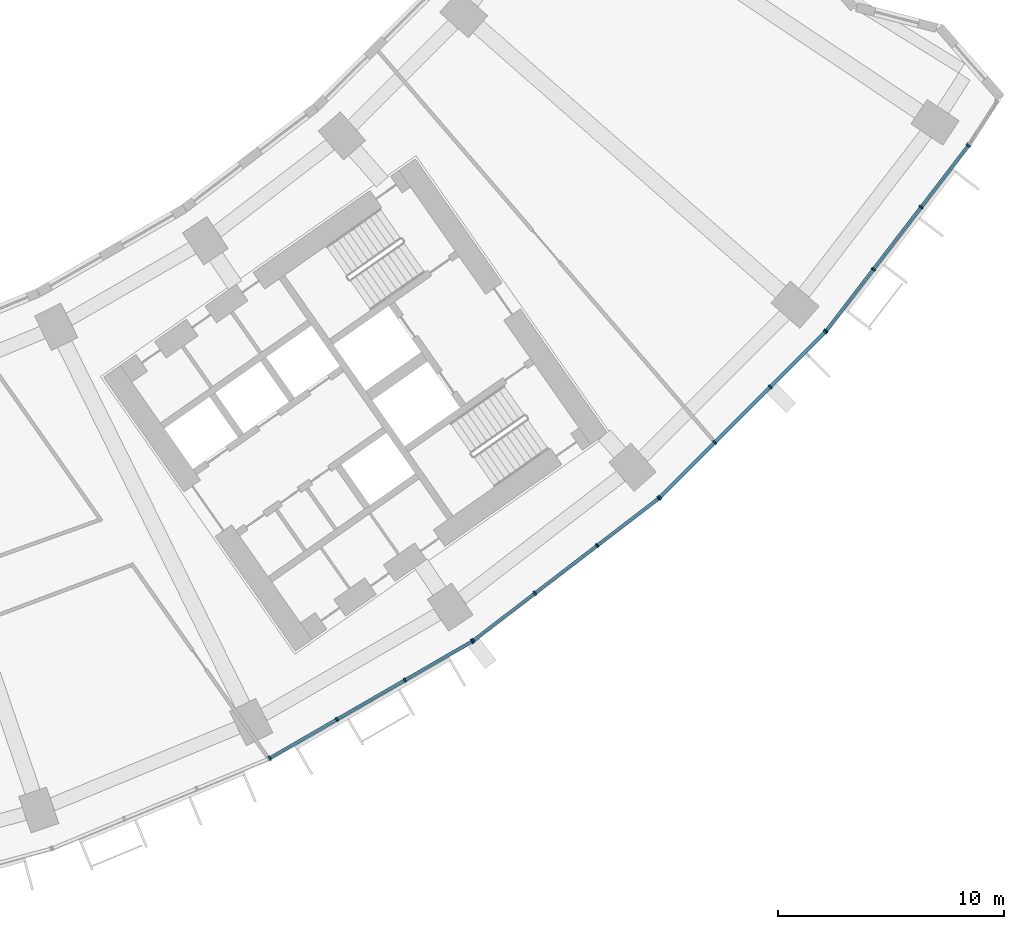
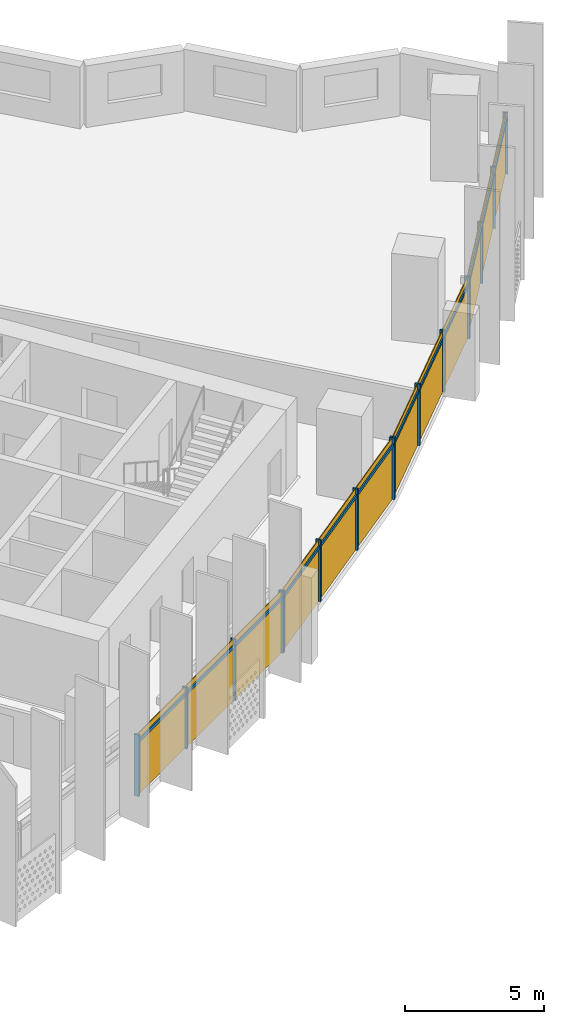
# One storey, part 23 of 32: 28 members, 4 curtain walls.
"""IFC4 building model written with IfcOpenShell, lengths in metres."""

from ifc_helpers import new_model, si_unit, direction, frame, origin, origin_2d, place, context, subcontext, project, spatial, rectangle, extrude, material, material_profile, profile_set, type_object, element, aggregate, save


model = new_model("IFC4")

# Units and contexts
model_context = context("Model", 3, precision=1e-05, world=origin(), true_north=direction((0.0, 1.0)))
body_context = subcontext(model_context, "Body", "Model", "MODEL_VIEW")
ifc_project = project(units=[si_unit("LENGTHUNIT", "METRE"), si_unit("AREAUNIT", "SQUARE_METRE"), si_unit("VOLUMEUNIT", "CUBIC_METRE"), si_unit("PLANEANGLEUNIT", "RADIAN"), si_unit("MASSUNIT", "GRAM", prefix="KILO")], contexts=[model_context])

# Member
ifc_material = material(Name="Aluminium 6063-T6 anodised", Category="aluminium")
ifc_material_profile_1 = material_profile(ifc_material, rectangle(XDim=0.199951171875, YDim=0.070068359375, at=origin_2d()))
ifc_profile_set_1 = profile_set([ifc_material_profile_1], Name="Aluminium 6063-T6 anodised")
member_type_1 = type_object("IfcMemberType", Name="Mullion 70 x 200 aluminium", PredefinedType="MULLION", material=ifc_profile_set_1)
site_placement = place(None, origin())
building_placement = place(site_placement, origin())
storey_placement = place(building_placement, frame((0.0, 0.0, 63.300048828125)))
member_1_placement = place(storey_placement, frame((35.20849609375, -71.331787109375, 0.0), z_axis=(0.0, 0.0, 1.0), x_axis=(-0.5, 0.866025403784, 0.0)))
member_1 = element("IfcMember", 1, at=member_1_placement, type_object=member_type_1, Name="e-cw1-L12-out12/M00", PredefinedType="MULLION", context=body_context, shape_type="SweptSolid", body=[
    extrude(rectangle(XDim=0.199951171875, YDim=0.070068359375, at=origin_2d()), origin(), (0.0, 0.0, 1.0), 2.699951171875),
])

member_2_placement = place(storey_placement, frame((38.18603515625, -69.61279296875, 0.0), z_axis=(0.0, 0.0, 1.0), x_axis=(-0.5, 0.866025403784, 0.0)))
member_2 = element("IfcMember", 2, at=member_2_placement, type_object=member_type_1, Name="e-cw1-L12-out12/M01", PredefinedType="MULLION", context=body_context, shape_type="SweptSolid", body=[
    extrude(rectangle(XDim=0.199951171875, YDim=0.070068359375, at=origin_2d()), origin(), (0.0, 0.0, 1.0), 2.699951171875),
])

member_3_placement = place(storey_placement, frame((41.193603515625, -67.87646484375, 0.0), z_axis=(0.0, 0.0, 1.0), x_axis=(-0.5, 0.866025403784, 0.0)))
member_3 = element("IfcMember", 3, at=member_3_placement, type_object=member_type_1, Name="e-cw1-L12-out12/M02", PredefinedType="MULLION", context=body_context, shape_type="SweptSolid", body=[
    extrude(rectangle(XDim=0.199951171875, YDim=0.070068359375, at=origin_2d()), origin(), (0.0, 0.0, 1.0), 2.699951171875),
])

member_4_placement = place(storey_placement, frame((44.1708984375, -66.157470703125, 0.0), z_axis=(0.0, 0.0, 1.0), x_axis=(-0.5, 0.866025403784, 0.0)))
member_4 = element("IfcMember", 4, at=member_4_placement, type_object=member_type_1, Name="e-cw1-L12-out12/M03", PredefinedType="MULLION", context=body_context, shape_type="SweptSolid", body=[
    extrude(rectangle(XDim=0.199951171875, YDim=0.070068359375, at=origin_2d()), origin(), (0.0, 0.0, 1.0), 2.699951171875),
])

member_5_placement = place(storey_placement, frame((44.218017578125, -66.1259765625, 0.0), z_axis=(0.0, 0.0, 1.0), x_axis=(-0.608761429009, 0.793353340291, 0.0)))
member_5 = element("IfcMember", 5, at=member_5_placement, type_object=member_type_1, Name="e-cw1-L12-out13/M00", PredefinedType="MULLION", context=body_context, shape_type="SweptSolid", body=[
    extrude(rectangle(XDim=0.199951171875, YDim=0.070068359375, at=origin_2d()), origin(), (0.0, 0.0, 1.0), 2.699951171875),
])

member_6_placement = place(storey_placement, frame((46.945556640625, -64.032958984375, 0.0), z_axis=(0.0, 0.0, 1.0), x_axis=(-0.608761429009, 0.793353340291, 0.0)))
member_6 = element("IfcMember", 6, at=member_6_placement, type_object=member_type_1, Name="e-cw1-L12-out13/M01", PredefinedType="MULLION", context=body_context, shape_type="SweptSolid", body=[
    extrude(rectangle(XDim=0.199951171875, YDim=0.070068359375, at=origin_2d()), origin(), (0.0, 0.0, 1.0), 2.699951171875),
])

member_7_placement = place(storey_placement, frame((49.70068359375, -61.9189453125, 0.0), z_axis=(0.0, 0.0, 1.0), x_axis=(-0.608761429009, 0.793353340291, 0.0)))
member_7 = element("IfcMember", 7, at=member_7_placement, type_object=member_type_1, Name="e-cw1-L12-out13/M02", PredefinedType="MULLION", context=body_context, shape_type="SweptSolid", body=[
    extrude(rectangle(XDim=0.199951171875, YDim=0.070068359375, at=origin_2d()), origin(), (0.0, 0.0, 1.0), 2.699951171875),
])

member_8_placement = place(storey_placement, frame((52.42822265625, -59.825927734375, 0.0), z_axis=(0.0, 0.0, 1.0), x_axis=(-0.608761429009, 0.793353340291, 0.0)))
member_8 = element("IfcMember", 8, at=member_8_placement, type_object=member_type_1, Name="e-cw1-L12-out13/M03", PredefinedType="MULLION", context=body_context, shape_type="SweptSolid", body=[
    extrude(rectangle(XDim=0.199951171875, YDim=0.070068359375, at=origin_2d()), origin(), (0.0, 0.0, 1.0), 2.699951171875),
])

member_9_placement = place(storey_placement, frame((52.470947265625, -59.78857421875, 0.0), z_axis=(0.0, 0.0, 1.0), x_axis=(-0.707106781187, 0.707106781187, 0.0)))
member_9 = element("IfcMember", 9, at=member_9_placement, type_object=member_type_1, Name="e-cw1-L12-out14/M00", PredefinedType="MULLION", context=body_context, shape_type="SweptSolid", body=[
    extrude(rectangle(XDim=0.199951171875, YDim=0.070068359375, at=origin_2d()), origin(), (0.0, 0.0, 1.0), 2.699951171875),
])

member_10_placement = place(storey_placement, frame((54.90185546875, -57.357666015625, 0.0), z_axis=(0.0, 0.0, 1.0), x_axis=(-0.707106781187, 0.707106781187, 0.0)))
member_10 = element("IfcMember", 10, at=member_10_placement, type_object=member_type_1, Name="e-cw1-L12-out14/M01", PredefinedType="MULLION", context=body_context, shape_type="SweptSolid", body=[
    extrude(rectangle(XDim=0.199951171875, YDim=0.070068359375, at=origin_2d()), origin(), (0.0, 0.0, 1.0), 2.699951171875),
])

member_11_placement = place(storey_placement, frame((57.357666015625, -54.90185546875, 0.0), z_axis=(0.0, 0.0, 1.0), x_axis=(-0.707106781187, 0.707106781187, 0.0)))
member_11 = element("IfcMember", 11, at=member_11_placement, type_object=member_type_1, Name="e-cw1-L12-out14/M02", PredefinedType="MULLION", context=body_context, shape_type="SweptSolid", body=[
    extrude(rectangle(XDim=0.199951171875, YDim=0.070068359375, at=origin_2d()), origin(), (0.0, 0.0, 1.0), 2.699951171875),
])

member_12_placement = place(storey_placement, frame((59.78857421875, -52.470947265625, 0.0), z_axis=(0.0, 0.0, 1.0), x_axis=(-0.707106781187, 0.707106781187, 0.0)))
member_12 = element("IfcMember", 12, at=member_12_placement, type_object=member_type_1, Name="e-cw1-L12-out14/M03", PredefinedType="MULLION", context=body_context, shape_type="SweptSolid", body=[
    extrude(rectangle(XDim=0.199951171875, YDim=0.070068359375, at=origin_2d()), origin(), (0.0, 0.0, 1.0), 2.699951171875),
])

member_13_placement = place(storey_placement, frame((59.825927734375, -52.42822265625, 0.0), z_axis=(0.0, 0.0, 1.0), x_axis=(-0.793353340291, 0.608761429009, 0.0)))
member_13 = element("IfcMember", 13, at=member_13_placement, type_object=member_type_1, Name="e-cw1-L12-out15/M00", PredefinedType="MULLION", context=body_context, shape_type="SweptSolid", body=[
    extrude(rectangle(XDim=0.199951171875, YDim=0.070068359375, at=origin_2d()), origin(), (0.0, 0.0, 1.0), 2.699951171875),
])

member_14_placement = place(storey_placement, frame((61.9189453125, -49.70068359375, 0.0), z_axis=(0.0, 0.0, 1.0), x_axis=(-0.793353340291, 0.608761429009, 0.0)))
member_14 = element("IfcMember", 14, at=member_14_placement, type_object=member_type_1, Name="e-cw1-L12-out15/M01", PredefinedType="MULLION", context=body_context, shape_type="SweptSolid", body=[
    extrude(rectangle(XDim=0.199951171875, YDim=0.070068359375, at=origin_2d()), origin(), (0.0, 0.0, 1.0), 2.699951171875),
])

member_15_placement = place(storey_placement, frame((64.032958984375, -46.945556640625, 0.0), z_axis=(0.0, 0.0, 1.0), x_axis=(-0.793353340291, 0.608761429009, 0.0)))
member_15 = element("IfcMember", 15, at=member_15_placement, type_object=member_type_1, Name="e-cw1-L12-out15/M02", PredefinedType="MULLION", context=body_context, shape_type="SweptSolid", body=[
    extrude(rectangle(XDim=0.199951171875, YDim=0.070068359375, at=origin_2d()), origin(), (0.0, 0.0, 1.0), 2.699951171875),
])

member_16_placement = place(storey_placement, frame((66.1259765625, -44.218017578125, 0.0), z_axis=(0.0, 0.0, 1.0), x_axis=(-0.793353340291, 0.608761429009, 0.0)))
member_16 = element("IfcMember", 16, at=member_16_placement, type_object=member_type_1, Name="e-cw1-L12-out15/M03", PredefinedType="MULLION", context=body_context, shape_type="SweptSolid", body=[
    extrude(rectangle(XDim=0.199951171875, YDim=0.070068359375, at=origin_2d()), origin(), (0.0, 0.0, 1.0), 2.699951171875),
])

ifc_material_profile_2 = material_profile(ifc_material, rectangle(XDim=0.139892578125, YDim=0.1201171875, at=origin_2d()))
ifc_profile_set_2 = profile_set([ifc_material_profile_2], Name="Aluminium 6063-T6 anodised")
member_type_2 = type_object("IfcMemberType", Name="Transom 120 x 140 aluminium", PredefinedType="USERDEFINED", material=ifc_profile_set_2)
member_17_placement = place(storey_placement, frame((35.239013671875, -71.314208984375, 2.39990234375), z_axis=(0.866026229868, 0.499998569178, 0.0), x_axis=(-0.499998569178, 0.866026229868, 0.0)))
member_17 = element("IfcMember", 17, at=member_17_placement, type_object=member_type_2, Name="e-cw1-L12-out12/T00", ObjectType="TRANSOM", PredefinedType="USERDEFINED", context=body_context, shape_type="SweptSolid", body=[
    extrude(rectangle(XDim=0.139892578125, YDim=0.1201171875, at=origin_2d()), origin(), (0.0, 0.0, 1.0), 3.36767578125),
])

member_18_placement = place(storey_placement, frame((38.21630859375, -69.595458984375, 2.39990234375), z_axis=(0.866000398227, 0.500043308395, 0.0), x_axis=(-0.500043308395, 0.866000398227, 0.0)))
member_18 = element("IfcMember", 18, at=member_18_placement, type_object=member_type_2, Name="e-cw1-L12-out12/T01", ObjectType="TRANSOM", PredefinedType="USERDEFINED", context=body_context, shape_type="SweptSolid", body=[
    extrude(rectangle(XDim=0.139892578125, YDim=0.1201171875, at=origin_2d()), origin(), (0.0, 0.0, 1.0), 3.403076171875),
])

member_19_placement = place(storey_placement, frame((41.223876953125, -67.85888671875, 2.39990234375), z_axis=(0.866044351828, 0.49996717959, 0.0), x_axis=(-0.49996717959, 0.866044351828, 0.0)))
member_19 = element("IfcMember", 19, at=member_19_placement, type_object=member_type_2, Name="e-cw1-L12-out12/T02", ObjectType="TRANSOM", PredefinedType="USERDEFINED", context=body_context, shape_type="SweptSolid", body=[
    extrude(rectangle(XDim=0.139892578125, YDim=0.1201171875, at=origin_2d()), origin(), (0.0, 0.0, 1.0), 3.367919921875),
])

member_20_placement = place(storey_placement, frame((44.245849609375, -66.1044921875, 2.39990234375), z_axis=(0.793375276742, 0.608732839803, 0.0), x_axis=(-0.608732839803, 0.793375276742, 0.0)))
member_20 = element("IfcMember", 20, at=member_20_placement, type_object=member_type_2, Name="e-cw1-L12-out13/T00", ObjectType="TRANSOM", PredefinedType="USERDEFINED", context=body_context, shape_type="SweptSolid", body=[
    extrude(rectangle(XDim=0.139892578125, YDim=0.1201171875, at=origin_2d()), origin(), (0.0, 0.0, 1.0), 3.36767578125),
])

member_21_placement = place(storey_placement, frame((46.973388671875, -64.01171875, 2.39990234375), z_axis=(0.793356868815, 0.60875683052, 0.0), x_axis=(-0.60875683052, 0.793356868815, 0.0)))
member_21 = element("IfcMember", 21, at=member_21_placement, type_object=member_type_2, Name="e-cw1-L12-out13/T01", ObjectType="TRANSOM", PredefinedType="USERDEFINED", context=body_context, shape_type="SweptSolid", body=[
    extrude(rectangle(XDim=0.139892578125, YDim=0.1201171875, at=origin_2d()), origin(), (0.0, 0.0, 1.0), 3.40283203125),
])

member_22_placement = place(storey_placement, frame((49.728515625, -61.8974609375, 2.39990234375), z_axis=(0.793375276742, 0.608732839803, 0.0), x_axis=(-0.608732839803, 0.793375276742, 0.0)))
member_22 = element("IfcMember", 22, at=member_22_placement, type_object=member_type_2, Name="e-cw1-L12-out13/T02", ObjectType="TRANSOM", PredefinedType="USERDEFINED", context=body_context, shape_type="SweptSolid", body=[
    extrude(rectangle(XDim=0.139892578125, YDim=0.1201171875, at=origin_2d()), origin(), (0.0, 0.0, 1.0), 3.36767578125),
])

member_23_placement = place(storey_placement, frame((52.49560546875, -59.763916015625, 2.39990234375), z_axis=(0.707106781187, 0.707106781187, 0.0), x_axis=(-0.707106781187, 0.707106781187, 0.0)))
member_23 = element("IfcMember", 23, at=member_23_placement, type_object=member_type_2, Name="e-cw1-L12-out14/T00", ObjectType="TRANSOM", PredefinedType="USERDEFINED", context=body_context, shape_type="SweptSolid", body=[
    extrude(rectangle(XDim=0.139892578125, YDim=0.1201171875, at=origin_2d()), origin(), (0.0, 0.0, 1.0), 3.3681640625),
])

member_24_placement = place(storey_placement, frame((54.9267578125, -57.332763671875, 2.39990234375), z_axis=(0.707106781187, 0.707106781187, 0.0), x_axis=(-0.707106781187, 0.707106781187, 0.0)))
member_24 = element("IfcMember", 24, at=member_24_placement, type_object=member_type_2, Name="e-cw1-L12-out14/T01", ObjectType="TRANSOM", PredefinedType="USERDEFINED", context=body_context, shape_type="SweptSolid", body=[
    extrude(rectangle(XDim=0.139892578125, YDim=0.1201171875, at=origin_2d()), origin(), (0.0, 0.0, 1.0), 3.402587890625),
])

member_25_placement = place(storey_placement, frame((57.38232421875, -54.877197265625, 2.39990234375), z_axis=(0.707106781187, 0.707106781187, 0.0), x_axis=(-0.707106781187, 0.707106781187, 0.0)))
member_25 = element("IfcMember", 25, at=member_25_placement, type_object=member_type_2, Name="e-cw1-L12-out14/T02", ObjectType="TRANSOM", PredefinedType="USERDEFINED", context=body_context, shape_type="SweptSolid", body=[
    extrude(rectangle(XDim=0.139892578125, YDim=0.1201171875, at=origin_2d()), origin(), (0.0, 0.0, 1.0), 3.3681640625),
])

member_26_placement = place(storey_placement, frame((59.847412109375, -52.400390625, 2.39990234375), z_axis=(0.608732839803, 0.793375276742, 0.0), x_axis=(-0.793375276742, 0.608732839803, 0.0)))
member_26 = element("IfcMember", 26, at=member_26_placement, type_object=member_type_2, Name="e-cw1-L12-out15/T00", ObjectType="TRANSOM", PredefinedType="USERDEFINED", context=body_context, shape_type="SweptSolid", body=[
    extrude(rectangle(XDim=0.139892578125, YDim=0.1201171875, at=origin_2d()), origin(), (0.0, 0.0, 1.0), 3.36767578125),
])

member_27_placement = place(storey_placement, frame((61.940185546875, -49.673095703125, 2.39990234375), z_axis=(0.60875683052, 0.793356868815, 0.0), x_axis=(-0.793356868815, 0.60875683052, 0.0)))
member_27 = element("IfcMember", 27, at=member_27_placement, type_object=member_type_2, Name="e-cw1-L12-out15/T01", ObjectType="TRANSOM", PredefinedType="USERDEFINED", context=body_context, shape_type="SweptSolid", body=[
    extrude(rectangle(XDim=0.139892578125, YDim=0.1201171875, at=origin_2d()), origin(), (0.0, 0.0, 1.0), 3.40283203125),
])

member_28_placement = place(storey_placement, frame((64.054443359375, -46.917724609375, 2.39990234375), z_axis=(0.608732839803, 0.793375276742, 0.0), x_axis=(-0.793375276742, 0.608732839803, 0.0)))
member_28 = element("IfcMember", 28, at=member_28_placement, type_object=member_type_2, Name="e-cw1-L12-out15/T02", ObjectType="TRANSOM", PredefinedType="USERDEFINED", context=body_context, shape_type="SweptSolid", body=[
    extrude(rectangle(XDim=0.139892578125, YDim=0.1201171875, at=origin_2d()), origin(), (0.0, 0.0, 1.0), 3.36767578125),
])

# Site, building, storey
site = spatial("IfcSite", under=ifc_project, at=site_placement, CompositionType="ELEMENT")
building = spatial("IfcBuilding", under=site, at=building_placement, Name="Qamariyya Broadcast Tower", CompositionType="ELEMENT")
storey = spatial("IfcBuildingStorey", under=building, at=storey_placement, Name="L12", CompositionType="ELEMENT", Elevation=63.300048828125)

# Curtain wall
curtain_wall_type = type_object("IfcCurtainWallType", Name="Unitised curtain wall, anodised aluminium", PredefinedType="NOTDEFINED", material=ifc_material)
curtain_wall_1_placement = place(storey_placement, origin())
curtain_wall_1 = element("IfcCurtainWall", 29, at=curtain_wall_1_placement, inside=storey, type_object=curtain_wall_type, Name="e-cw1-L12-out12", PredefinedType="NOTDEFINED", context=body_context, shape_type="SweptSolid", body=[
    extrude(rectangle(XDim=3.367919921875, YDim=0.031982421875, at=origin_2d()), frame((36.697265625, -70.472412109375, 0.0), x_axis=(0.86602247392, 0.500005074639, 0.0)), (0.0, 0.0, 1.0), 2.340087890625),
    extrude(rectangle(XDim=3.367919921875, YDim=0.031982421875, at=origin_2d()), frame((36.697265625, -70.472412109375, 2.4599609375), x_axis=(0.86602247392, 0.500005074639, 0.0)), (0.0, 0.0, 1.0), 0.239990234375),
    extrude(rectangle(XDim=3.40283203125, YDim=0.031982421875, at=origin_2d()), frame((39.689697265625, -68.74462890625, 0.0), x_axis=(0.86602247392, 0.500005074639, 0.0)), (0.0, 0.0, 1.0), 2.340087890625),
    extrude(rectangle(XDim=3.40283203125, YDim=0.031982421875, at=origin_2d()), frame((39.689697265625, -68.74462890625, 2.4599609375), x_axis=(0.86602247392, 0.500005074639, 0.0)), (0.0, 0.0, 1.0), 0.239990234375),
    extrude(rectangle(XDim=3.367919921875, YDim=0.031982421875, at=origin_2d()), frame((42.68212890625, -67.016845703125, 0.0), x_axis=(0.86602247392, 0.500005074639, 0.0)), (0.0, 0.0, 1.0), 2.340087890625),
    extrude(rectangle(XDim=3.367919921875, YDim=0.031982421875, at=origin_2d()), frame((42.68212890625, -67.016845703125, 2.4599609375), x_axis=(0.86602247392, 0.500005074639, 0.0)), (0.0, 0.0, 1.0), 0.239990234375),
])

aggregate(curtain_wall_1, [member_1, member_2, member_3, member_4, member_17, member_18, member_19])

curtain_wall_2_placement = place(storey_placement, origin())
curtain_wall_2 = element("IfcCurtainWall", 30, at=curtain_wall_2_placement, inside=storey, type_object=curtain_wall_type, Name="e-cw1-L12-out13", PredefinedType="NOTDEFINED", context=body_context, shape_type="SweptSolid", body=[
    extrude(rectangle(XDim=3.367919921875, YDim=0.031982421875, at=origin_2d()), frame((45.581787109375, -65.07958984375, 0.0), x_axis=(0.79335775203, 0.608755679475, 0.0)), (0.0, 0.0, 1.0), 2.340087890625),
    extrude(rectangle(XDim=3.367919921875, YDim=0.031982421875, at=origin_2d()), frame((45.581787109375, -65.07958984375, 2.4599609375), x_axis=(0.79335775203, 0.608755679475, 0.0)), (0.0, 0.0, 1.0), 0.239990234375),
    extrude(rectangle(XDim=3.40283203125, YDim=0.031982421875, at=origin_2d()), frame((48.3232421875, -62.97607421875, 0.0), x_axis=(0.79335775203, 0.608755679475, 0.0)), (0.0, 0.0, 1.0), 2.340087890625),
    extrude(rectangle(XDim=3.40283203125, YDim=0.031982421875, at=origin_2d()), frame((48.3232421875, -62.97607421875, 2.4599609375), x_axis=(0.79335775203, 0.608755679475, 0.0)), (0.0, 0.0, 1.0), 0.239990234375),
    extrude(rectangle(XDim=3.367919921875, YDim=0.031982421875, at=origin_2d()), frame((51.064453125, -60.872314453125, 0.0), x_axis=(0.79335775203, 0.608755679475, 0.0)), (0.0, 0.0, 1.0), 2.340087890625),
    extrude(rectangle(XDim=3.367919921875, YDim=0.031982421875, at=origin_2d()), frame((51.064453125, -60.872314453125, 2.4599609375), x_axis=(0.79335775203, 0.608755679475, 0.0)), (0.0, 0.0, 1.0), 0.239990234375),
])

aggregate(curtain_wall_2, [member_5, member_6, member_7, member_8, member_20, member_21, member_22])

curtain_wall_3_placement = place(storey_placement, origin())
curtain_wall_3 = element("IfcCurtainWall", 31, at=curtain_wall_3_placement, inside=storey, type_object=curtain_wall_type, Name="e-cw1-L12-out14", PredefinedType="NOTDEFINED", context=body_context, shape_type="SweptSolid", body=[
    extrude(rectangle(XDim=3.367919921875, YDim=0.031982421875, at=origin_2d()), frame((53.6865234375, -58.572998046875, 0.0), x_axis=(0.707106781187, 0.707106781187, 0.0)), (0.0, 0.0, 1.0), 2.340087890625),
    extrude(rectangle(XDim=3.367919921875, YDim=0.031982421875, at=origin_2d()), frame((53.6865234375, -58.572998046875, 2.4599609375), x_axis=(0.707106781187, 0.707106781187, 0.0)), (0.0, 0.0, 1.0), 0.239990234375),
    extrude(rectangle(XDim=3.40283203125, YDim=0.031982421875, at=origin_2d()), frame((56.1298828125, -56.1298828125, 0.0), x_axis=(0.707106781187, 0.707106781187, 0.0)), (0.0, 0.0, 1.0), 2.340087890625),
    extrude(rectangle(XDim=3.40283203125, YDim=0.031982421875, at=origin_2d()), frame((56.1298828125, -56.1298828125, 2.4599609375), x_axis=(0.707106781187, 0.707106781187, 0.0)), (0.0, 0.0, 1.0), 0.239990234375),
    extrude(rectangle(XDim=3.367919921875, YDim=0.031982421875, at=origin_2d()), frame((58.572998046875, -53.6865234375, 0.0), x_axis=(0.707106781187, 0.707106781187, 0.0)), (0.0, 0.0, 1.0), 2.340087890625),
    extrude(rectangle(XDim=3.367919921875, YDim=0.031982421875, at=origin_2d()), frame((58.572998046875, -53.6865234375, 2.4599609375), x_axis=(0.707106781187, 0.707106781187, 0.0)), (0.0, 0.0, 1.0), 0.239990234375),
])

aggregate(curtain_wall_3, [member_9, member_10, member_11, member_12, member_23, member_24, member_25])

curtain_wall_4_placement = place(storey_placement, origin())
curtain_wall_4 = element("IfcCurtainWall", 32, at=curtain_wall_4_placement, inside=storey, type_object=curtain_wall_type, Name="e-cw1-L12-out15", PredefinedType="NOTDEFINED", context=body_context, shape_type="SweptSolid", body=[
    extrude(rectangle(XDim=3.367919921875, YDim=0.031982421875, at=origin_2d()), frame((60.872314453125, -51.064453125, 0.0), x_axis=(0.608755679475, 0.79335775203, 0.0)), (0.0, 0.0, 1.0), 2.340087890625),
    extrude(rectangle(XDim=3.367919921875, YDim=0.031982421875, at=origin_2d()), frame((60.872314453125, -51.064453125, 2.4599609375), x_axis=(0.608755679475, 0.79335775203, 0.0)), (0.0, 0.0, 1.0), 0.239990234375),
    extrude(rectangle(XDim=3.40283203125, YDim=0.031982421875, at=origin_2d()), frame((62.97607421875, -48.3232421875, 0.0), x_axis=(0.608755679475, 0.79335775203, 0.0)), (0.0, 0.0, 1.0), 2.340087890625),
    extrude(rectangle(XDim=3.40283203125, YDim=0.031982421875, at=origin_2d()), frame((62.97607421875, -48.3232421875, 2.4599609375), x_axis=(0.608755679475, 0.79335775203, 0.0)), (0.0, 0.0, 1.0), 0.239990234375),
    extrude(rectangle(XDim=3.367919921875, YDim=0.031982421875, at=origin_2d()), frame((65.07958984375, -45.581787109375, 0.0), x_axis=(0.608755679475, 0.79335775203, 0.0)), (0.0, 0.0, 1.0), 2.340087890625),
    extrude(rectangle(XDim=3.367919921875, YDim=0.031982421875, at=origin_2d()), frame((65.07958984375, -45.581787109375, 2.4599609375), x_axis=(0.608755679475, 0.79335775203, 0.0)), (0.0, 0.0, 1.0), 0.239990234375),
])

aggregate(curtain_wall_4, [member_13, member_14, member_15, member_16, member_26, member_27, member_28])

save(model, "model.ifc")
